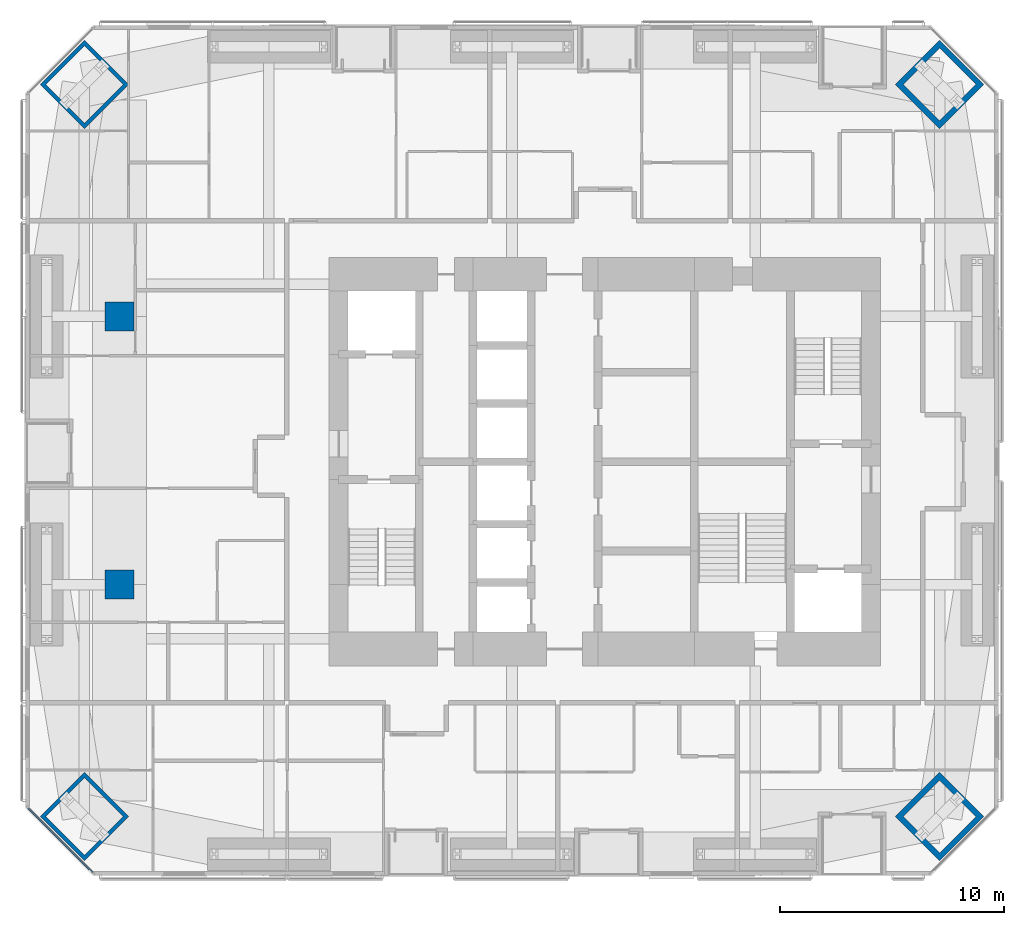
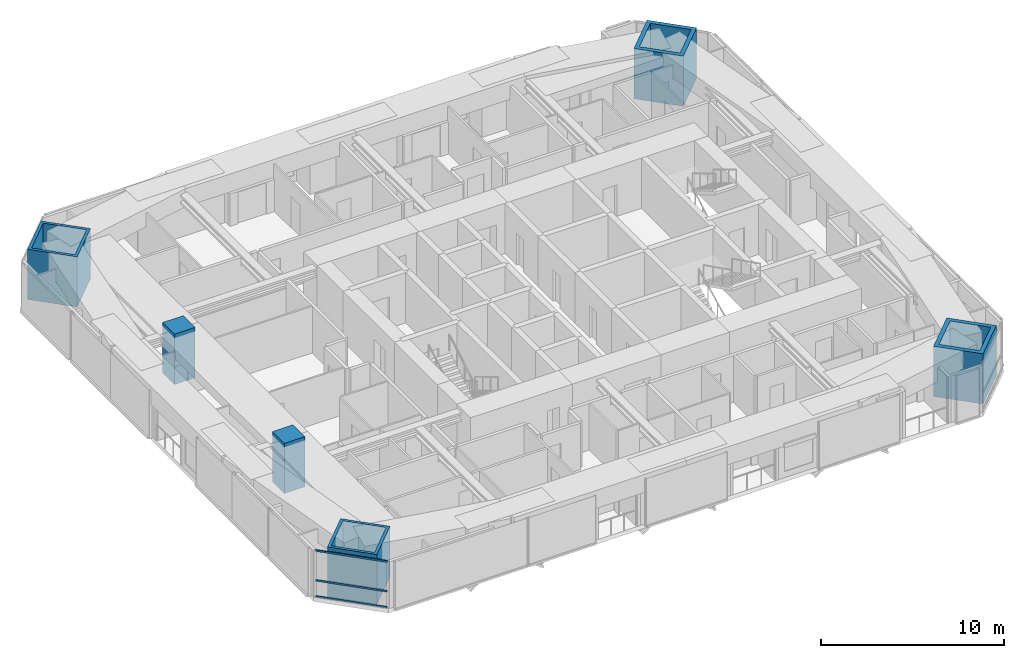
# One storey, part 1 of 23: 6 columns, 3 members, 1 element without a shape of its own.
"""IFC4 building model written with IfcOpenShell, lengths in metres."""

from ifc_helpers import new_model, si_unit, direction, frame, origin, origin_2d, place, context, subcontext, project, spatial, rectangle, hollow_rectangle, extrude, material, material_profile, profile_set, type_object, element, aggregate, save


model = new_model("IFC4")

# Units and contexts
model_context = context("Model", 3, precision=1e-05, world=origin(), true_north=direction((0.0, 1.0)))
body_context = subcontext(model_context, "Body", "Model", "MODEL_VIEW")
ifc_project = project(units=[si_unit("LENGTHUNIT", "METRE"), si_unit("AREAUNIT", "SQUARE_METRE"), si_unit("VOLUMEUNIT", "CUBIC_METRE"), si_unit("PLANEANGLEUNIT", "RADIAN"), si_unit("MASSUNIT", "GRAM", prefix="KILO")], contexts=[model_context])

# Site, building, storey
site_placement = place(None, origin())
site = spatial("IfcSite", under=ifc_project, at=site_placement, CompositionType="ELEMENT")
building_placement = place(site_placement, origin())
building = spatial("IfcBuilding", under=site, at=building_placement, Name="Jalousie Tower", CompositionType="ELEMENT")
storey_placement = place(building_placement, frame((0.0, 0.0, 84.75)))
storey = spatial("IfcBuildingStorey", under=building, at=storey_placement, Name="L22", CompositionType="ELEMENT", Elevation=84.75)

# Columns
ifc_material_1 = material(Name="Steel EN 10025-2 S355J2 plate", Category="steel")
ifc_material_profile_1 = material_profile(ifc_material_1, hollow_rectangle(XDim=2.800048828125, YDim=2.800048828125, WallThickness=0.175048828125, at=origin_2d()), Name="BOX 2800x2800x175")
ifc_profile_set_1 = profile_set([ifc_material_profile_1], Name="Steel EN 10025-2 S355J2 plate")
column_type_1 = type_object("IfcColumnType", Name="BUILT-UP BOX CORNER COLUMN BOX 2800x2800x175", PredefinedType="COLUMN", material=ifc_profile_set_1)
for number, where, z_axis, x_axis, name in (
    (1, (8.63134765625, 2.63134765625, 0.0), (0.0, 0.0, 1.0), (0.707106781187, 0.707106781187, 0.0), "Corner column 01 L22"),
    (2, (8.63134765625, 35.36865234375, 0.0), (0.0, 0.0, 1.0), (0.707106781187, -0.707106781187, 0.0), "Corner column 12 L22"),
):
    element("IfcColumn", number, at=place(storey_placement, frame(where, z_axis=z_axis, x_axis=x_axis)), inside=storey, type_object=column_type_1, Name=name, PredefinedType="COLUMN", context=body_context, shape_type="SweptSolid", body=[
        extrude(hollow_rectangle(XDim=2.800048828125, YDim=2.800048828125, WallThickness=0.175048828125, at=origin_2d()), origin(), (0.0, 0.0, 1.0), 3.35009765625),
    ])
ifc_material_2 = material(Name="Steel EN 10025-2 S355J2 plate", Category="steel")
ifc_material_profile_2 = material_profile(ifc_material_2, hollow_rectangle(XDim=2.800048828125, YDim=2.800048828125, WallThickness=0.25, at=origin_2d()), Name="BOX 2800x2800x250")
ifc_profile_set_2 = profile_set([ifc_material_profile_2], Name="Steel EN 10025-2 S355J2 plate")
column_type_2 = type_object("IfcColumnType", Name="BUILT-UP BOX CORNER COLUMN BOX 2800x2800x250", PredefinedType="COLUMN", material=ifc_profile_set_2)
for number, where, z_axis, x_axis, name in (
    (3, (46.86865234375, 2.63134765625, 0.0), (0.0, 0.0, 1.0), (-0.707106781187, 0.707106781187, 0.0), "Corner column 05 L22"),
    (4, (46.86865234375, 35.36865234375, 0.0), (0.0, 0.0, 1.0), (-0.707106781187, -0.707106781187, 0.0), "Corner column 08 L22"),
):
    element("IfcColumn", number, at=place(storey_placement, frame(where, z_axis=z_axis, x_axis=x_axis)), inside=storey, type_object=column_type_2, Name=name, PredefinedType="COLUMN", context=body_context, shape_type="SweptSolid", body=[
        extrude(hollow_rectangle(XDim=2.800048828125, YDim=2.800048828125, WallThickness=0.25, at=origin_2d()), origin(), (0.0, 0.0, 1.0), 3.35009765625),
    ])
ifc_material_3 = material(Name="Concrete f'c 120 MPa", Category="concrete")
ifc_material_profile_3 = material_profile(ifc_material_3, rectangle(XDim=1.300048828125, YDim=1.300048828125, at=origin_2d()), Name="RC 1300x1300")
ifc_profile_set_3 = profile_set([ifc_material_profile_3], Name="Concrete f'c 120 MPa")
column_type_3 = type_object("IfcColumnType", Name="RC COLUMN 1300x1300", PredefinedType="COLUMN", material=ifc_profile_set_3)
for number, where, z_axis, x_axis, name in (
    (5, (10.199951171875, 13.0, 0.0), (0.0, 0.0, 1.0), (1.0, 0.0, 0.0), "Interior column IB1 L22"),
    (6, (10.199951171875, 25.0, 0.0), (0.0, 0.0, 1.0), (1.0, 0.0, 0.0), "Interior column IB2 L22"),
):
    element("IfcColumn", number, at=place(storey_placement, frame(where, z_axis=z_axis, x_axis=x_axis)), inside=storey, type_object=column_type_3, Name=name, PredefinedType="COLUMN", context=body_context, shape_type="SweptSolid", body=[
        extrude(rectangle(XDim=1.300048828125, YDim=1.300048828125, at=origin_2d()), origin(), (0.0, 0.0, 1.0), 3.35009765625),
    ])

# Curtain wall, members
ifc_material_4 = material(Name="Aluminium curtain wall", Category="aluminium")
curtain_wall_type = type_object("IfcCurtainWallType", Name="CORNER WINDOW WALL", PredefinedType="USERDEFINED", material=ifc_material_4)
curtain_wall_placement = place(storey_placement, origin())
curtain_wall = element("IfcCurtainWall", 7, at=curtain_wall_placement, inside=storey, type_object=curtain_wall_type, Name="Corner Window Wall L22 8", ObjectType="CORNER WINDOW WALL", PredefinedType="USERDEFINED")
ifc_material_5 = material(Name="Aluminium transom", Category="aluminium")
ifc_material_profile_4 = material_profile(ifc_material_5, rectangle(XDim=0.06005859375, YDim=0.1201171875, at=origin_2d()), Name="TRANSOM 60x120")
ifc_profile_set_4 = profile_set([ifc_material_profile_4], Name="Aluminium transom")
member_type = type_object("IfcMemberType", Name="CORNER WINDOW WALL TRANSOM", PredefinedType="USERDEFINED", material=ifc_profile_set_4)
member_1_placement = place(storey_placement, frame((6.1298828125, 3.0087890625, 0.030029296875), z_axis=(0.707106781187, -0.707106781187, 0.0), x_axis=(0.707106781187, 0.707106781187, 0.0)))
member_1 = element("IfcMember", 8, at=member_1_placement, type_object=member_type, Name="CW-C transom 1.1", ObjectType="TRANSOM", PredefinedType="USERDEFINED", context=body_context, shape_type="SweptSolid", body=[
    extrude(rectangle(XDim=0.06005859375, YDim=0.1201171875, at=origin_2d()), origin(), (0.0, 0.0, 1.0), 4.0712890625),
])
member_2_placement = place(storey_placement, frame((6.1298828125, 3.0087890625, 1.10009765625), z_axis=(0.707106781187, -0.707106781187, 0.0), x_axis=(0.707106781187, 0.707106781187, 0.0)))
member_2 = element("IfcMember", 9, at=member_2_placement, type_object=member_type, Name="CW-C transom 1.2", ObjectType="TRANSOM", PredefinedType="USERDEFINED", context=body_context, shape_type="SweptSolid", body=[
    extrude(rectangle(XDim=0.06005859375, YDim=0.1201171875, at=origin_2d()), origin(), (0.0, 0.0, 1.0), 4.0712890625),
])
member_3_placement = place(storey_placement, frame((6.1298828125, 3.0087890625, 3.080078125), z_axis=(0.707106781187, -0.707106781187, 0.0), x_axis=(0.707106781187, 0.707106781187, 0.0)))
member_3 = element("IfcMember", 10, at=member_3_placement, type_object=member_type, Name="CW-C transom 1.3", ObjectType="TRANSOM", PredefinedType="USERDEFINED", context=body_context, shape_type="SweptSolid", body=[
    extrude(rectangle(XDim=0.06005859375, YDim=0.1201171875, at=origin_2d()), origin(), (0.0, 0.0, 1.0), 4.0712890625),
])
aggregate(curtain_wall, [member_1, member_2, member_3])

save(model, "model.ifc")
